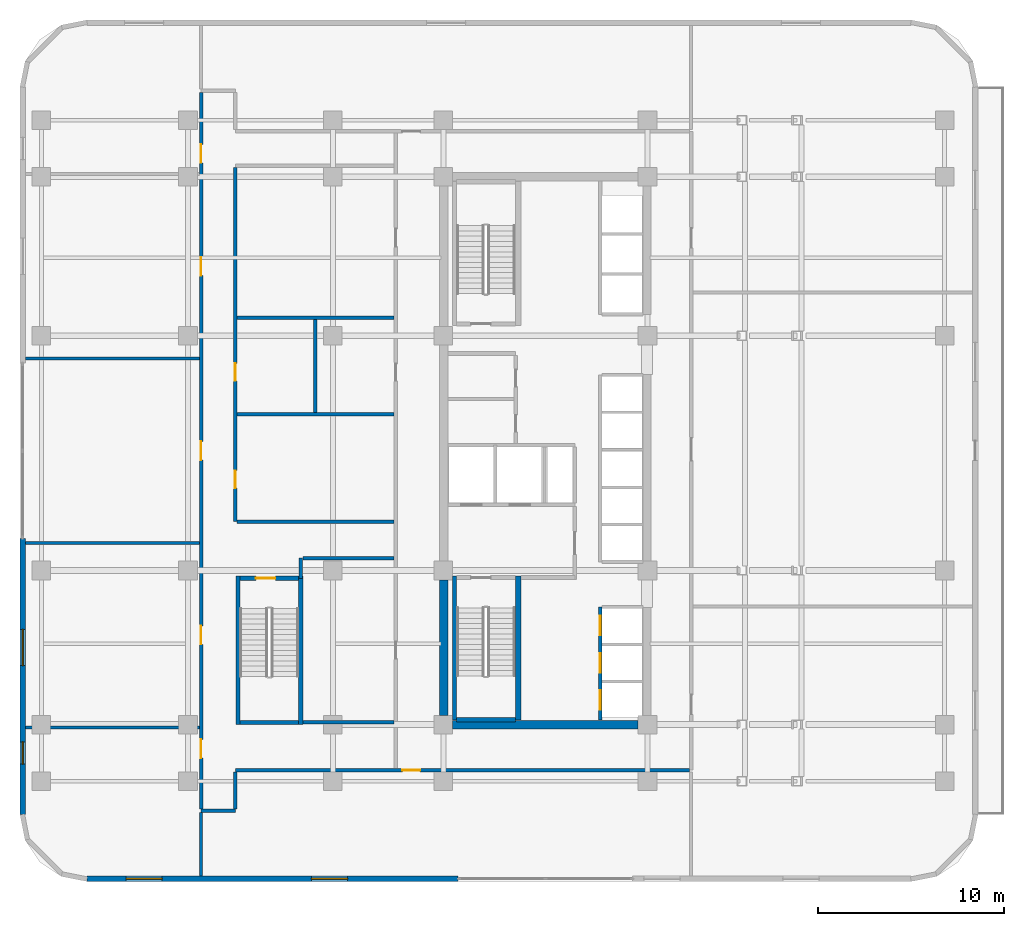
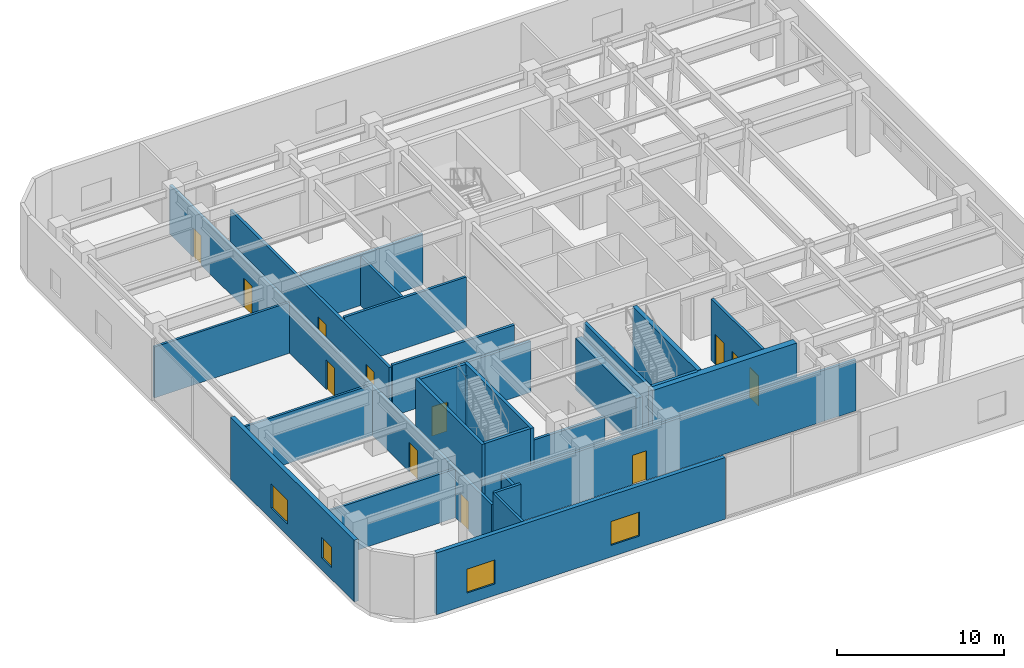
# One storey, part 6 of 12: 28 walls, 12 doors, 4 windows, 16 openings.
"""IFC4 building model written with IfcOpenShell, lengths in metres."""

from ifc_helpers import new_model, si_unit, direction, frame, frame_2d, origin, place, context, subcontext, project, spatial, rectangle, extrude, material, layer, layer_set, type_object, element, fill, save


model = new_model("IFC4")

# Units and contexts
model_context = context("Model", 3, precision=1e-05, world=origin(), true_north=direction((0.0, 1.0)))
body_context = subcontext(model_context, "Body", "Model", "MODEL_VIEW")
ifc_project = project(units=[si_unit("LENGTHUNIT", "METRE"), si_unit("AREAUNIT", "SQUARE_METRE"), si_unit("VOLUMEUNIT", "CUBIC_METRE"), si_unit("PLANEANGLEUNIT", "RADIAN"), si_unit("MASSUNIT", "GRAM", prefix="KILO")], contexts=[model_context])

# Site, building, storey
site_placement = place(None, origin())
site = spatial("IfcSite", under=ifc_project, at=site_placement, CompositionType="ELEMENT")
building_placement = place(site_placement, origin())
building = spatial("IfcBuilding", under=site, at=building_placement, Name="Ochreholt Gables", CompositionType="ELEMENT")
storey_placement = place(building_placement, frame((0.0, 0.0, 9.60009765625)))
storey = spatial("IfcBuildingStorey", under=building, at=storey_placement, Name="L02", CompositionType="ELEMENT", Elevation=9.60009765625)

# Walls
ifc_material_1 = material(Name="Concrete 60 MPa", Category="concrete")
ifc_layer_1 = layer(ifc_material_1, 0.449951171875, Name="Concrete 60 MPa")
ifc_layer_set_1 = layer_set([ifc_layer_1], Name="Concrete 60 MPa")
wall_type_1 = type_object("IfcWallType", Name="WALL-CSW-450", PredefinedType="SHEAR", material=ifc_layer_set_1)
wall_1_placement = place(storey_placement, frame((24.22509765625, 9.75, 0.0), z_axis=(0.0, 0.0, 1.0), x_axis=(0.0, 1.0, 0.0)))
element("IfcWall", 1, at=wall_1_placement, inside=storey, type_object=wall_type_1, Name="L02 Core West Shear Wall WS", PredefinedType="SHEAR", context=body_context, shape_type="SweptSolid", body=[
    extrude(rectangle(XDim=7.300048828125, YDim=0.449951171875, at=frame_2d((3.64990234375, 0.0))), origin(), (0.0, 0.0, 1.0), 3.75),
])
wall_2_placement = place(storey_placement, frame((24.699951171875, 9.25, 0.0), z_axis=(0.0, 0.0, 1.0), x_axis=(1.0, 0.0, 0.0)))
element("IfcWall", 2, at=wall_2_placement, inside=storey, type_object=wall_type_1, Name="L02 Core South Shear Wall", PredefinedType="SHEAR", context=body_context, shape_type="SweptSolid", body=[
    extrude(rectangle(XDim=10.0, YDim=0.449951171875, at=frame_2d((5.0, 0.0))), origin(), (0.0, 0.0, 1.0), 4.52001953125),
])

# Wall, openings, windows
ifc_material_2 = material(Name="Precast concrete 40 MPa", Category="concrete")
ifc_layer_2 = layer(ifc_material_2, 0.2900390625, Name="Precast concrete 40 MPa")
ifc_layer_set_2 = layer_set([ifc_layer_2], Name="Precast concrete 40 MPa")
wall_type_2 = type_object("IfcWallType", Name="WALL-EXT-290", PredefinedType="SOLIDWALL", material=ifc_layer_set_2)
wall_3_placement = place(storey_placement, frame((5.02001953125, 0.945068359375, 0.0), z_axis=(0.0, 0.0, 1.0), x_axis=(1.0, 0.0, 0.0)))
wall_3 = element("IfcWall", 3, at=wall_3_placement, inside=storey, type_object=wall_type_2, Name="L02 South Facade Wall 1", PredefinedType="SOLIDWALL", context=body_context, shape_type="SweptSolid", body=[
    extrude(rectangle(XDim=19.97998046875, YDim=0.2900390625, at=frame_2d((9.989990234375, 0.0))), origin(), (0.0, 0.0, 1.0), 4.52001953125),
])
opening_1_placement = place(wall_3_placement, frame((2.090087890625, 0.0, 0.85009765625)))
opening_1 = element("IfcOpeningElement", 4, at=opening_1_placement, cuts=wall_3, Name="Opening WN-9", PredefinedType="OPENING", context=body_context, shape_type="SweptSolid", body=[
    extrude(rectangle(XDim=1.949951171875, YDim=1.75, at=frame_2d((0.97509765625, 0.875))), frame((0.0, 0.155029296875, 0.0), z_axis=(0.0, -1.0, 0.0), x_axis=(1.0, 0.0, 0.0)), (0.0, 0.0, 1.0), 0.31005859375),
])
opening_2_placement = place(wall_3_placement, frame((12.080078125, 0.0, 0.85009765625)))
opening_2 = element("IfcOpeningElement", 5, at=opening_2_placement, cuts=wall_3, Name="Opening WN-9", PredefinedType="OPENING", context=body_context, shape_type="SweptSolid", body=[
    extrude(rectangle(XDim=1.949951171875, YDim=1.75, at=frame_2d((0.97509765625, 0.875))), frame((0.0, 0.155029296875, 0.0), z_axis=(0.0, -1.0, 0.0), x_axis=(1.0, 0.0, 0.0)), (0.0, 0.0, 1.0), 0.31005859375),
])
ifc_material_3 = material(Name="Triple-Glazed Thermally Broken Aluminium Window", Category="aluminium")
window_type_1 = type_object("IfcWindowType", Name="WIN-CLN-1950", PartitioningType="SINGLE_PANEL", PredefinedType="WINDOW", material=ifc_material_3)
window_1_placement = place(opening_1_placement, origin())
window_1 = element("IfcWindow", 6, at=window_1_placement, inside=storey, type_object=window_type_1, Name="L02 Window W-EXT-S1-L02-1", OverallHeight=1.75, OverallWidth=1.949951171875, PartitioningType="SINGLE_PANEL", PredefinedType="WINDOW", context=body_context, shape_type="SweptSolid", body=[
    extrude(rectangle(XDim=1.949951171875, YDim=1.75, at=frame_2d((0.97509765625, 0.875))), frame((0.0, 0.030029296875, 0.0), z_axis=(0.0, -1.0, 0.0), x_axis=(1.0, 0.0, 0.0)), (0.0, 0.0, 1.0), 0.06005859375),
])
fill(opening_1, window_1)
window_2_placement = place(opening_2_placement, origin())
window_2 = element("IfcWindow", 7, at=window_2_placement, inside=storey, type_object=window_type_1, Name="L02 Window W-EXT-S1-L02-2", OverallHeight=1.75, OverallWidth=1.949951171875, PartitioningType="SINGLE_PANEL", PredefinedType="WINDOW", context=body_context, shape_type="SweptSolid", body=[
    extrude(rectangle(XDim=1.949951171875, YDim=1.75, at=frame_2d((0.97509765625, 0.875))), frame((0.0, 0.030029296875, 0.0), z_axis=(0.0, -1.0, 0.0), x_axis=(1.0, 0.0, 0.0)), (0.0, 0.0, 1.0), 0.06005859375),
])
fill(opening_2, window_2)

wall_4_placement = place(storey_placement, frame((1.544921875, 19.283203125, 0.0), z_axis=(0.0, 0.0, 1.0), x_axis=(0.0, -1.0, 0.0)))
wall_4 = element("IfcWall", 8, at=wall_4_placement, inside=storey, type_object=wall_type_2, Name="L02 West Facade Wall 2", PredefinedType="SOLIDWALL", context=body_context, shape_type="SweptSolid", body=[
    extrude(rectangle(XDim=14.86328125, YDim=0.2900390625, at=frame_2d((7.431640625, 0.0))), origin(), (0.0, 0.0, 1.0), 4.52001953125),
])
opening_3_placement = place(wall_4_placement, frame((10.958251953125, 0.0, 0.85009765625)))
opening_3 = element("IfcOpeningElement", 9, at=opening_3_placement, cuts=wall_4, Name="Opening WN-3", PredefinedType="OPENING", context=body_context, shape_type="SweptSolid", body=[
    extrude(rectangle(XDim=1.199951171875, YDim=1.5, at=frame_2d((0.60009765625, 0.75))), frame((0.0, 0.155029296875, 0.0), z_axis=(0.0, -1.0, 0.0), x_axis=(1.0, 0.0, 0.0)), (0.0, 0.0, 1.0), 0.31005859375),
])
opening_4_placement = place(wall_4_placement, frame((4.908203125, 0.0, 0.85009765625)))
opening_4 = element("IfcOpeningElement", 10, at=opening_4_placement, cuts=wall_4, Name="Opening WN-9", PredefinedType="OPENING", context=body_context, shape_type="SweptSolid", body=[
    extrude(rectangle(XDim=1.949951171875, YDim=1.75, at=frame_2d((0.97509765625, 0.875))), frame((0.0, 0.155029296875, 0.0), z_axis=(0.0, -1.0, 0.0), x_axis=(1.0, 0.0, 0.0)), (0.0, 0.0, 1.0), 0.31005859375),
])
window_3_placement = place(opening_4_placement, origin())
window_3 = element("IfcWindow", 11, at=window_3_placement, inside=storey, type_object=window_type_1, Name="L02 Window W-EXT-W2-L02-2", OverallHeight=1.75, OverallWidth=1.949951171875, PartitioningType="SINGLE_PANEL", PredefinedType="WINDOW", context=body_context, shape_type="SweptSolid", body=[
    extrude(rectangle(XDim=1.949951171875, YDim=1.75, at=frame_2d((0.97509765625, 0.875))), frame((0.0, 0.030029296875, 0.0), z_axis=(0.0, -1.0, 0.0), x_axis=(1.0, 0.0, 0.0)), (0.0, 0.0, 1.0), 0.06005859375),
])
fill(opening_4, window_3)
window_type_2 = type_object("IfcWindowType", Name="WIN-RES-1200", PartitioningType="SINGLE_PANEL", PredefinedType="WINDOW", material=ifc_material_3)
window_4_placement = place(opening_3_placement, origin())
window_4 = element("IfcWindow", 12, at=window_4_placement, inside=storey, type_object=window_type_2, Name="L02 Window W-EXT-W2-L02-1", OverallHeight=1.5, OverallWidth=1.199951171875, PartitioningType="SINGLE_PANEL", PredefinedType="WINDOW", context=body_context, shape_type="SweptSolid", body=[
    extrude(rectangle(XDim=1.199951171875, YDim=1.5, at=frame_2d((0.60009765625, 0.75))), frame((0.0, 0.030029296875, 0.0), z_axis=(0.0, -1.0, 0.0), x_axis=(1.0, 0.0, 0.0)), (0.0, 0.0, 1.0), 0.06005859375),
])
fill(opening_3, window_4)

# Wall, opening, door
ifc_material_4 = material(Name="Fire-Rated Gypsum Acoustic Partition", Category="gypsum")
ifc_layer_3 = layer(ifc_material_4, 0.18994140625, Name="Fire-Rated Gypsum Acoustic Partition")
ifc_layer_set_3 = layer_set([ifc_layer_3], Name="Fire-Rated Gypsum Acoustic Partition")
wall_type_3 = type_object("IfcWallType", Name="WALL-INT-CR190", PredefinedType="STANDARD", material=ifc_layer_set_3)
wall_5_placement = place(storey_placement, frame((13.0, 6.800048828125, 0.0), z_axis=(0.0, 0.0, 1.0), x_axis=(1.0, 0.0, 0.0)))
wall_5 = element("IfcWall", 13, at=wall_5_placement, inside=storey, type_object=wall_type_3, Name="L02 Interior Wall WI-CLCS-L02", PredefinedType="STANDARD", context=body_context, shape_type="SweptSolid", body=[
    extrude(rectangle(XDim=24.455078125, YDim=0.18994140625, at=frame_2d((12.2275390625, 0.0))), origin(), (0.0, 0.0, 1.0), 3.73193359375),
])
opening_5_placement = place(wall_5_placement, frame((9.0, 0.0, 0.0)))
opening_5 = element("IfcOpeningElement", 14, at=opening_5_placement, cuts=wall_5, Name="Opening D-GN1", PredefinedType="OPENING", context=body_context, shape_type="SweptSolid", body=[
    extrude(rectangle(XDim=0.949951171875, YDim=2.14990234375, at=frame_2d((0.47509765625, 1.074951171875))), frame((0.0, 0.10498046875, 0.0), z_axis=(0.0, -1.0, 0.0), x_axis=(1.0, 0.0, 0.0)), (0.0, 0.0, 1.0), 0.2099609375),
])
ifc_material_5 = material(Name="Engineered Oak Timber", Category="wood")
door_type_1 = type_object("IfcDoorType", Name="DR-INT-GEN950", OperationType="NOTDEFINED", PredefinedType="DOOR", material=ifc_material_5)
door_1_placement = place(opening_5_placement, origin())
door_1 = element("IfcDoor", 15, at=door_1_placement, inside=storey, type_object=door_type_1, Name="L02 Door D-CLCS-L02", OperationType="SINGLE_SWING_LEFT", OverallHeight=2.14990234375, OverallWidth=0.949951171875, PredefinedType="DOOR", context=body_context, shape_type="SweptSolid", body=[
    extrude(rectangle(XDim=0.949951171875, YDim=2.14990234375, at=frame_2d((0.47509765625, 1.074951171875))), frame((0.0, 0.02490234375, 0.0), z_axis=(0.0, -1.0, 0.0), x_axis=(1.0, 0.0, 0.0)), (0.0, 0.0, 1.0), 0.050048828125),
])
fill(opening_5, door_1)

# Walls
wall_6_placement = place(storey_placement, frame((11.14990234375, 4.60009765625, 0.0), z_axis=(0.0, 0.0, 1.0), x_axis=(1.0, 0.0, 0.0)))
element("IfcWall", 16, at=wall_6_placement, inside=storey, type_object=wall_type_3, Name="L02 Interior Wall WI-CLCS0-L02", PredefinedType="STANDARD", context=body_context, shape_type="SweptSolid", body=[
    extrude(rectangle(XDim=1.85009765625, YDim=0.18994140625, at=frame_2d((0.925048828125, 0.0))), origin(), (0.0, 0.0, 1.0), 4.52001953125),
])
wall_7_placement = place(storey_placement, frame((13.0, 4.695068359375, 0.0), z_axis=(0.0, 0.0, 1.0), x_axis=(0.0, 1.0, 0.0)))
element("IfcWall", 17, at=wall_7_placement, inside=storey, type_object=wall_type_3, Name="L02 Interior Wall WI-CLCS1-L02", PredefinedType="STANDARD", context=body_context, shape_type="SweptSolid", body=[
    extrude(rectangle(XDim=2.010009765625, YDim=0.18994140625, at=frame_2d((1.0048828125, 0.0))), origin(), (0.0, 0.0, 1.0), 3.968994140625),
])
wall_8_placement = place(storey_placement, frame((16.6298828125, 9.3701171875, 0.0), z_axis=(0.0, 0.0, 1.0), x_axis=(1.0, 0.0, 0.0)))
element("IfcWall", 18, at=wall_8_placement, inside=storey, type_object=wall_type_3, Name="L02 Interior Wall WI-CLCS2-L02", PredefinedType="STANDARD", context=body_context, shape_type="SweptSolid", body=[
    extrude(rectangle(XDim=4.925048828125, YDim=0.18994140625, at=frame_2d((2.46240234375, 0.0))), origin(), (0.0, 0.0, 1.0), 3.574951171875),
])

# Wall, openings, doors
wall_9_placement = place(storey_placement, frame((11.14990234375, 4.695068359375, 0.0), z_axis=(0.0, 0.0, 1.0), x_axis=(0.0, 1.0, 0.0)))
wall_9 = element("IfcWall", 19, at=wall_9_placement, inside=storey, type_object=wall_type_3, Name="L02 Interior Wall WI-CLCWW-L02", PredefinedType="STANDARD", context=body_context, shape_type="SweptSolid", body=[
    extrude(rectangle(XDim=38.60986328125, YDim=0.18994140625, at=frame_2d((19.304931640625, 0.0))), origin(), (0.0, 0.0, 1.0), 3.574951171875),
])
opening_6_placement = place(wall_9_placement, frame((2.7548828125, 0.0, 0.0)))
opening_6 = element("IfcOpeningElement", 20, at=opening_6_placement, cuts=wall_9, Name="Opening D-CL3", PredefinedType="OPENING", context=body_context, shape_type="SweptSolid", body=[
    extrude(rectangle(XDim=1.0, YDim=2.14990234375, at=frame_2d((0.5, 1.074951171875))), frame((0.0, 0.10498046875, 0.0), z_axis=(0.0, -1.0, 0.0), x_axis=(1.0, 0.0, 0.0)), (0.0, 0.0, 1.0), 0.2099609375),
])
opening_7_placement = place(wall_9_placement, frame((8.87158203125, 0.0, 0.0)))
opening_7 = element("IfcOpeningElement", 21, at=opening_7_placement, cuts=wall_9, Name="Opening D-CL3", PredefinedType="OPENING", context=body_context, shape_type="SweptSolid", body=[
    extrude(rectangle(XDim=1.0, YDim=2.14990234375, at=frame_2d((0.5, 1.074951171875))), frame((0.0, 0.10498046875, 0.0), z_axis=(0.0, -1.0, 0.0), x_axis=(1.0, 0.0, 0.0)), (0.0, 0.0, 1.0), 0.2099609375),
])
opening_8_placement = place(wall_9_placement, frame((18.804931640625, 0.0, 0.0)))
opening_8 = element("IfcOpeningElement", 22, at=opening_8_placement, cuts=wall_9, Name="Opening D-CL3", PredefinedType="OPENING", context=body_context, shape_type="SweptSolid", body=[
    extrude(rectangle(XDim=1.0, YDim=2.14990234375, at=frame_2d((0.5, 1.074951171875))), frame((0.0, 0.10498046875, 0.0), z_axis=(0.0, -1.0, 0.0), x_axis=(1.0, 0.0, 0.0)), (0.0, 0.0, 1.0), 0.2099609375),
])
opening_9_placement = place(wall_9_placement, frame((28.73828125, 0.0, 0.0)))
opening_9 = element("IfcOpeningElement", 23, at=opening_9_placement, cuts=wall_9, Name="Opening D-CL3", PredefinedType="OPENING", context=body_context, shape_type="SweptSolid", body=[
    extrude(rectangle(XDim=1.0, YDim=2.14990234375, at=frame_2d((0.5, 1.074951171875))), frame((0.0, 0.10498046875, 0.0), z_axis=(0.0, -1.0, 0.0), x_axis=(1.0, 0.0, 0.0)), (0.0, 0.0, 1.0), 0.2099609375),
])
opening_10_placement = place(wall_9_placement, frame((34.804931640625, 0.0, 0.0)))
opening_10 = element("IfcOpeningElement", 24, at=opening_10_placement, cuts=wall_9, Name="Opening D-CL3", PredefinedType="OPENING", context=body_context, shape_type="SweptSolid", body=[
    extrude(rectangle(XDim=1.0, YDim=2.14990234375, at=frame_2d((0.5, 1.074951171875))), frame((0.0, 0.10498046875, 0.0), z_axis=(0.0, -1.0, 0.0), x_axis=(1.0, 0.0, 0.0)), (0.0, 0.0, 1.0), 0.2099609375),
])
door_type_2 = type_object("IfcDoorType", Name="DR-INT-CLN1000", OperationType="NOTDEFINED", PredefinedType="DOOR", material=ifc_material_5)
door_2_placement = place(opening_6_placement, origin())
door_2 = element("IfcDoor", 25, at=door_2_placement, inside=storey, type_object=door_type_2, Name="L02 Door D-CLW1-L02", OperationType="SINGLE_SWING_LEFT", OverallHeight=2.14990234375, OverallWidth=1.0, PredefinedType="DOOR", context=body_context, shape_type="SweptSolid", body=[
    extrude(rectangle(XDim=1.0, YDim=2.14990234375, at=frame_2d((0.5, 1.074951171875))), frame((0.0, 0.02490234375, 0.0), z_axis=(0.0, -1.0, 0.0), x_axis=(1.0, 0.0, 0.0)), (0.0, 0.0, 1.0), 0.050048828125),
])
fill(opening_6, door_2)
door_3_placement = place(opening_7_placement, origin())
door_3 = element("IfcDoor", 26, at=door_3_placement, inside=storey, type_object=door_type_2, Name="L02 Door D-CLW2-L02", OperationType="SINGLE_SWING_RIGHT", OverallHeight=2.14990234375, OverallWidth=1.0, PredefinedType="DOOR", context=body_context, shape_type="SweptSolid", body=[
    extrude(rectangle(XDim=1.0, YDim=2.14990234375, at=frame_2d((0.5, 1.074951171875))), frame((0.0, 0.02490234375, 0.0), z_axis=(0.0, -1.0, 0.0), x_axis=(1.0, 0.0, 0.0)), (0.0, 0.0, 1.0), 0.050048828125),
])
fill(opening_7, door_3)
door_4_placement = place(opening_8_placement, origin())
door_4 = element("IfcDoor", 27, at=door_4_placement, inside=storey, type_object=door_type_2, Name="L02 Door D-CLW3-L02", OperationType="SINGLE_SWING_LEFT", OverallHeight=2.14990234375, OverallWidth=1.0, PredefinedType="DOOR", context=body_context, shape_type="SweptSolid", body=[
    extrude(rectangle(XDim=1.0, YDim=2.14990234375, at=frame_2d((0.5, 1.074951171875))), frame((0.0, 0.02490234375, 0.0), z_axis=(0.0, -1.0, 0.0), x_axis=(1.0, 0.0, 0.0)), (0.0, 0.0, 1.0), 0.050048828125),
])
fill(opening_8, door_4)
door_5_placement = place(opening_9_placement, origin())
door_5 = element("IfcDoor", 28, at=door_5_placement, inside=storey, type_object=door_type_2, Name="L02 Door D-CLW4-L02", OperationType="SINGLE_SWING_RIGHT", OverallHeight=2.14990234375, OverallWidth=1.0, PredefinedType="DOOR", context=body_context, shape_type="SweptSolid", body=[
    extrude(rectangle(XDim=1.0, YDim=2.14990234375, at=frame_2d((0.5, 1.074951171875))), frame((0.0, 0.02490234375, 0.0), z_axis=(0.0, -1.0, 0.0), x_axis=(1.0, 0.0, 0.0)), (0.0, 0.0, 1.0), 0.050048828125),
])
fill(opening_9, door_5)
door_6_placement = place(opening_10_placement, origin())
door_6 = element("IfcDoor", 29, at=door_6_placement, inside=storey, type_object=door_type_2, Name="L02 Door D-CLW5-L02", OperationType="SINGLE_SWING_LEFT", OverallHeight=2.14990234375, OverallWidth=1.0, PredefinedType="DOOR", context=body_context, shape_type="SweptSolid", body=[
    extrude(rectangle(XDim=1.0, YDim=2.14990234375, at=frame_2d((0.5, 1.074951171875))), frame((0.0, 0.02490234375, 0.0), z_axis=(0.0, -1.0, 0.0), x_axis=(1.0, 0.0, 0.0)), (0.0, 0.0, 1.0), 0.050048828125),
])
fill(opening_10, door_6)

wall_10_placement = place(storey_placement, frame((13.0, 20.179931640625, 0.0), z_axis=(0.0, 0.0, 1.0), x_axis=(0.0, 1.0, 0.0)))
wall_10 = element("IfcWall", 30, at=wall_10_placement, inside=storey, type_object=wall_type_3, Name="L02 Interior Wall WI-CLCWE-L02", PredefinedType="STANDARD", context=body_context, shape_type="SweptSolid", body=[
    extrude(rectangle(XDim=19.074951171875, YDim=0.18994140625, at=frame_2d((9.53759765625, 0.0))), origin(), (0.0, 0.0, 1.0), 3.574951171875),
])
opening_11_placement = place(wall_10_placement, frame((1.800048828125, 0.0, 0.0)))
opening_11 = element("IfcOpeningElement", 31, at=opening_11_placement, cuts=wall_10, Name="Opening D-GN1", PredefinedType="OPENING", context=body_context, shape_type="SweptSolid", body=[
    extrude(rectangle(XDim=0.949951171875, YDim=2.14990234375, at=frame_2d((0.47509765625, 1.074951171875))), frame((0.0, 0.10498046875, 0.0), z_axis=(0.0, -1.0, 0.0), x_axis=(1.0, 0.0, 0.0)), (0.0, 0.0, 1.0), 0.2099609375),
])
opening_12_placement = place(wall_10_placement, frame((7.580078125, 0.0, 0.0)))
opening_12 = element("IfcOpeningElement", 32, at=opening_12_placement, cuts=wall_10, Name="Opening D-WC2", PredefinedType="OPENING", context=body_context, shape_type="SweptSolid", body=[
    extrude(rectangle(XDim=0.949951171875, YDim=2.139892578125, at=frame_2d((0.47509765625, 1.06982421875))), frame((0.0, 0.10498046875, 0.0), z_axis=(0.0, -1.0, 0.0), x_axis=(1.0, 0.0, 0.0)), (0.0, 0.0, 1.0), 0.2099609375),
])
door_7_placement = place(opening_11_placement, origin())
door_7 = element("IfcDoor", 33, at=door_7_placement, inside=storey, type_object=door_type_1, Name="L02 Door D-CLMN1-L02", OperationType="SINGLE_SWING_LEFT", OverallHeight=2.14990234375, OverallWidth=0.949951171875, PredefinedType="DOOR", context=body_context, shape_type="SweptSolid", body=[
    extrude(rectangle(XDim=0.949951171875, YDim=2.14990234375, at=frame_2d((0.47509765625, 1.074951171875))), frame((0.0, 0.02490234375, 0.0), z_axis=(0.0, -1.0, 0.0), x_axis=(1.0, 0.0, 0.0)), (0.0, 0.0, 1.0), 0.050048828125),
])
fill(opening_11, door_7)
door_type_3 = type_object("IfcDoorType", Name="DR-INT-WC950", OperationType="NOTDEFINED", PredefinedType="DOOR", material=ifc_material_5)
door_8_placement = place(opening_12_placement, origin())
door_8 = element("IfcDoor", 34, at=door_8_placement, inside=storey, type_object=door_type_3, Name="L02 Door D-CLMWC1-L02", OperationType="SINGLE_SWING_RIGHT", OverallHeight=2.139892578125, OverallWidth=0.949951171875, PredefinedType="DOOR", context=body_context, shape_type="SweptSolid", body=[
    extrude(rectangle(XDim=0.949951171875, YDim=2.139892578125, at=frame_2d((0.47509765625, 1.06982421875))), frame((0.0, 0.02490234375, 0.0), z_axis=(0.0, -1.0, 0.0), x_axis=(1.0, 0.0, 0.0)), (0.0, 0.0, 1.0), 0.050048828125),
])
fill(opening_12, door_8)

# Walls
wall_11_placement = place(storey_placement, frame((16.6298828125, 18.219970703125, 0.0), z_axis=(0.0, 0.0, 1.0), x_axis=(1.0, 0.0, 0.0)))
element("IfcWall", 35, at=wall_11_placement, inside=storey, type_object=wall_type_3, Name="L02 Interior Wall WI-CLSTP-L02", PredefinedType="STANDARD", context=body_context, shape_type="SweptSolid", body=[
    extrude(rectangle(XDim=4.925048828125, YDim=0.18994140625, at=frame_2d((2.46240234375, 0.0))), origin(), (0.0, 0.0, 1.0), 3.73193359375),
])
wall_12_placement = place(storey_placement, frame((16.52001953125, 17.1298828125, 0.0), z_axis=(0.0, 0.0, 1.0), x_axis=(0.0, 1.0, 0.0)))
element("IfcWall", 36, at=wall_12_placement, inside=storey, type_object=wall_type_3, Name="L02 Interior Wall WI-CLSTPE-L02", PredefinedType="STANDARD", context=body_context, shape_type="SweptSolid", body=[
    extrude(rectangle(XDim=1.090087890625, YDim=0.18994140625, at=frame_2d((0.544921875, 0.0))), origin(), (0.0, 0.0, 1.0), 3.574951171875),
])
wall_13_placement = place(storey_placement, frame((13.094970703125, 20.179931640625, 0.0), z_axis=(0.0, 0.0, 1.0), x_axis=(1.0, 0.0, 0.0)))
element("IfcWall", 37, at=wall_13_placement, inside=storey, type_object=wall_type_3, Name="L02 Interior Wall WI-CLSTP2-L02", PredefinedType="STANDARD", context=body_context, shape_type="SweptSolid", body=[
    extrude(rectangle(XDim=8.4599609375, YDim=0.18994140625, at=frame_2d((4.22998046875, 0.0))), origin(), (0.0, 0.0, 1.0), 3.73193359375),
])
ifc_material_6 = material(Name="Moisture-Resistant Plumbing Chase Wall", Category="gypsum")
ifc_layer_4 = layer(ifc_material_6, 0.175048828125, Name="Moisture-Resistant Plumbing Chase Wall")
ifc_layer_set_4 = layer_set([ifc_layer_4], Name="Moisture-Resistant Plumbing Chase Wall")
wall_type_4 = type_object("IfcWallType", Name="WALL-INT-PL175", PredefinedType="PLUMBINGWALL", material=ifc_layer_set_4)
for number, where, z_axis, x_axis, name in (
    (38, (13.094970703125, 25.9599609375, 0.0), (0.0, 0.0, 1.0), (1.0, 0.0, 0.0), "L02 Interior Wall WI-CLMW1-L02"),
    (39, (13.094970703125, 31.159912109375, 0.0), (0.0, 0.0, 1.0), (1.0, 0.0, 0.0), "L02 Interior Wall WI-CLMW2-L02"),
):
    element("IfcWall", number, at=place(storey_placement, frame(where, z_axis=z_axis, x_axis=x_axis)), inside=storey, type_object=wall_type_4, Name=name, PredefinedType="PLUMBINGWALL", context=body_context, shape_type="SweptSolid", body=[
        extrude(rectangle(XDim=8.4599609375, YDim=0.175048828125, at=frame_2d((4.22998046875, 0.0))), origin(), (0.0, 0.0, 1.0), 3.73193359375),
    ])
wall_14_placement = place(storey_placement, frame((17.300048828125, 26.047607421875, 0.0), z_axis=(0.0, 0.0, 1.0), x_axis=(0.0, 1.0, 0.0)))
element("IfcWall", 40, at=wall_14_placement, inside=storey, type_object=wall_type_4, Name="L02 Interior Wall WI-CLMW3-L02", PredefinedType="PLUMBINGWALL", context=body_context, shape_type="SweptSolid", body=[
    extrude(rectangle(XDim=5.02490234375, YDim=0.175048828125, at=frame_2d((2.512451171875, 0.0))), origin(), (0.0, 0.0, 1.0), 3.574951171875),
])
ifc_material_7 = material(Name="Gypsum Acoustic Stud Partition", Category="gypsum")
ifc_layer_5 = layer(ifc_material_7, 0.159912109375, Name="Gypsum Acoustic Stud Partition")
ifc_layer_set_5 = layer_set([ifc_layer_5], Name="Gypsum Acoustic Stud Partition")
wall_type_5 = type_object("IfcWallType", Name="WALL-INT-PT160", PredefinedType="PARTITIONING", material=ifc_layer_set_5)
wall_15_placement = place(storey_placement, frame((11.14990234375, 1.090087890625, 0.0), z_axis=(0.0, 0.0, 1.0), x_axis=(0.0, 1.0, 0.0)))
element("IfcWall", 41, at=wall_15_placement, inside=storey, type_object=wall_type_5, Name="L02 Interior Wall WI-CLWWS-L02", PredefinedType="PARTITIONING", context=body_context, shape_type="SweptSolid", body=[
    extrude(rectangle(XDim=3.414794921875, YDim=0.159912109375, at=frame_2d((1.70751953125, 0.0))), origin(), (0.0, 0.0, 1.0), 4.52001953125),
])
wall_16_placement = place(storey_placement, frame((1.68994140625, 9.10009765625, 0.0), z_axis=(0.0, 0.0, 1.0), x_axis=(1.0, 0.0, 0.0)))
element("IfcWall", 42, at=wall_16_placement, inside=storey, type_object=wall_type_5, Name="L02 Interior Wall WI-CLW1-L02", PredefinedType="PARTITIONING", context=body_context, shape_type="SweptSolid", body=[
    extrude(rectangle(XDim=9.364990234375, YDim=0.159912109375, at=frame_2d((4.6826171875, 0.0))), origin(), (0.0, 0.0, 1.0), 3.574951171875),
])
for number, where, z_axis, x_axis, name in (
    (43, (1.68994140625, 19.033203125, 0.0), (0.0, 0.0, 1.0), (1.0, 0.0, 0.0), "L02 Interior Wall WI-CLW2-L02"),
    (44, (1.68994140625, 28.966796875, 0.0), (0.0, 0.0, 1.0), (1.0, 0.0, 0.0), "L02 Interior Wall WI-CLW3-L02"),
):
    element("IfcWall", number, at=place(storey_placement, frame(where, z_axis=z_axis, x_axis=x_axis)), inside=storey, type_object=wall_type_5, Name=name, PredefinedType="PARTITIONING", context=body_context, shape_type="SweptSolid", body=[
        extrude(rectangle(XDim=9.364990234375, YDim=0.159912109375, at=frame_2d((4.6826171875, 0.0))), origin(), (0.0, 0.0, 1.0), 3.73193359375),
    ])

# Wall, openings, doors
ifc_material_8 = material(Name="Gypsum Shaftliner and Steel Stud", Category="steel")
ifc_layer_6 = layer(ifc_material_8, 0.179931640625, Name="Gypsum Shaftliner and Steel Stud")
ifc_layer_set_6 = layer_set([ifc_layer_6], Name="Gypsum Shaftliner and Steel Stud")
wall_type_6 = type_object("IfcWallType", Name="WALL-INT-SH180", PredefinedType="STANDARD", material=ifc_layer_set_6)
wall_17_placement = place(storey_placement, frame((32.64990234375, 9.5, 0.0), z_axis=(0.0, 0.0, 1.0), x_axis=(0.0, 1.0, 0.0)))
wall_17 = element("IfcWall", 45, at=wall_17_placement, inside=storey, type_object=wall_type_6, Name="L02 Interior Wall WI-LFL-FR-L02", PredefinedType="STANDARD", context=body_context, shape_type="SweptSolid", body=[
    extrude(rectangle(XDim=6.080078125, YDim=0.179931640625, at=frame_2d((3.0400390625, 0.0))), origin(), (0.0, 0.0, 1.0), 4.52001953125),
])
opening_13_placement = place(wall_17_placement, frame((0.550048828125, 0.0, 0.0)))
opening_13 = element("IfcOpeningElement", 46, at=opening_13_placement, cuts=wall_17, Name="Opening LD-PX", PredefinedType="OPENING", context=body_context, shape_type="SweptSolid", body=[
    extrude(rectangle(XDim=1.050048828125, YDim=2.199951171875, at=frame_2d((0.52490234375, 1.10009765625))), frame((0.0, 0.099853515625, 0.0), z_axis=(0.0, -1.0, 0.0), x_axis=(1.0, 0.0, 0.0)), (0.0, 0.0, 1.0), 0.199951171875),
])
opening_14_placement = place(wall_17_placement, frame((2.550048828125, 0.0, 0.0)))
opening_14 = element("IfcOpeningElement", 47, at=opening_14_placement, cuts=wall_17, Name="Opening LD-PX", PredefinedType="OPENING", context=body_context, shape_type="SweptSolid", body=[
    extrude(rectangle(XDim=1.050048828125, YDim=2.199951171875, at=frame_2d((0.52490234375, 1.10009765625))), frame((0.0, 0.099853515625, 0.0), z_axis=(0.0, -1.0, 0.0), x_axis=(1.0, 0.0, 0.0)), (0.0, 0.0, 1.0), 0.199951171875),
])
opening_15_placement = place(wall_17_placement, frame((4.550048828125, 0.0, 0.0)))
opening_15 = element("IfcOpeningElement", 48, at=opening_15_placement, cuts=wall_17, Name="Opening LD-PX", PredefinedType="OPENING", context=body_context, shape_type="SweptSolid", body=[
    extrude(rectangle(XDim=1.050048828125, YDim=2.199951171875, at=frame_2d((0.52490234375, 1.10009765625))), frame((0.0, 0.099853515625, 0.0), z_axis=(0.0, -1.0, 0.0), x_axis=(1.0, 0.0, 0.0)), (0.0, 0.0, 1.0), 0.199951171875),
])
ifc_material_9 = material(Name="Stainless Steel", Category="steel")
door_type_4 = type_object("IfcDoorType", Name="DR-LFT-PX1050", OperationType="NOTDEFINED", PredefinedType="DOOR", material=ifc_material_9)
door_9_placement = place(opening_13_placement, origin())
door_9 = element("IfcDoor", 49, at=door_9_placement, inside=storey, type_object=door_type_4, Name="L02 Door LD-L1-L02", OperationType="SLIDING_TO_LEFT", OverallHeight=2.199951171875, OverallWidth=1.050048828125, PredefinedType="DOOR", context=body_context, shape_type="SweptSolid", body=[
    extrude(rectangle(XDim=1.050048828125, YDim=2.199951171875, at=frame_2d((0.52490234375, 1.10009765625))), frame((0.0, 0.02490234375, 0.0), z_axis=(0.0, -1.0, 0.0), x_axis=(1.0, 0.0, 0.0)), (0.0, 0.0, 1.0), 0.050048828125),
])
fill(opening_13, door_9)
door_10_placement = place(opening_14_placement, origin())
door_10 = element("IfcDoor", 50, at=door_10_placement, inside=storey, type_object=door_type_4, Name="L02 Door LD-L2-L02", OperationType="SLIDING_TO_LEFT", OverallHeight=2.199951171875, OverallWidth=1.050048828125, PredefinedType="DOOR", context=body_context, shape_type="SweptSolid", body=[
    extrude(rectangle(XDim=1.050048828125, YDim=2.199951171875, at=frame_2d((0.52490234375, 1.10009765625))), frame((0.0, 0.02490234375, 0.0), z_axis=(0.0, -1.0, 0.0), x_axis=(1.0, 0.0, 0.0)), (0.0, 0.0, 1.0), 0.050048828125),
])
fill(opening_14, door_10)
door_11_placement = place(opening_15_placement, origin())
door_11 = element("IfcDoor", 51, at=door_11_placement, inside=storey, type_object=door_type_4, Name="L02 Door LD-L3-L02", OperationType="SLIDING_TO_LEFT", OverallHeight=2.199951171875, OverallWidth=1.050048828125, PredefinedType="DOOR", context=body_context, shape_type="SweptSolid", body=[
    extrude(rectangle(XDim=1.050048828125, YDim=2.199951171875, at=frame_2d((0.52490234375, 1.10009765625))), frame((0.0, 0.02490234375, 0.0), z_axis=(0.0, -1.0, 0.0), x_axis=(1.0, 0.0, 0.0)), (0.0, 0.0, 1.0), 0.050048828125),
])
fill(opening_15, door_11)

# Walls
ifc_layer_7 = layer(ifc_material_1, 0.300048828125, Name="Concrete 60 MPa")
ifc_layer_set_7 = layer_set([ifc_layer_7], Name="Concrete 60 MPa")
wall_type_7 = type_object("IfcWallType", Name="WALL-SPN-300", PredefinedType="SHEAR", material=ifc_layer_set_7)
wall_18_placement = place(storey_placement, frame((28.22998046875, 9.5, 0.0), z_axis=(0.0, 0.0, 1.0), x_axis=(0.0, 1.0, 0.0)))
element("IfcWall", 52, at=wall_18_placement, inside=storey, type_object=wall_type_7, Name="L02 Core South Spine Shear Wall", PredefinedType="SHEAR", context=body_context, shape_type="SweptSolid", body=[
    extrude(rectangle(XDim=7.760009765625, YDim=0.300048828125, at=frame_2d((3.8798828125, 0.0))), origin(), (0.0, 0.0, 1.0), 4.52001953125),
])
ifc_material_10 = material(Name="Concrete 50 MPa", Category="concrete")
ifc_layer_8 = layer(ifc_material_10, 0.219970703125, Name="Concrete 50 MPa")
ifc_layer_set_8 = layer_set([ifc_layer_8], Name="Concrete 50 MPa")
wall_type_8 = type_object("IfcWallType", Name="WALL-STW-220", PredefinedType="SHEAR", material=ifc_layer_set_8)
wall_19_placement = place(storey_placement, frame((24.81005859375, 9.5, 0.0), z_axis=(0.0, 0.0, 1.0), x_axis=(0.0, 1.0, 0.0)))
element("IfcWall", 53, at=wall_19_placement, inside=storey, type_object=wall_type_8, Name="L02 Exit Stair 1 West Wall", PredefinedType="SHEAR", context=body_context, shape_type="SweptSolid", body=[
    extrude(rectangle(XDim=7.760009765625, YDim=0.219970703125, at=frame_2d((3.8798828125, 0.0))), origin(), (0.0, 0.0, 1.0), 4.52001953125),
])
wall_20_placement = place(storey_placement, frame((24.919921875, 9.510009765625, 0.0), z_axis=(0.0, 0.0, 1.0), x_axis=(1.0, 0.0, 0.0)))
element("IfcWall", 54, at=wall_20_placement, inside=storey, type_object=wall_type_8, Name="L02 Exit Stair 1 South Wall", PredefinedType="SHEAR", context=body_context, shape_type="SweptSolid", body=[
    extrude(rectangle(XDim=3.16015625, YDim=0.219970703125, at=frame_2d((1.580078125, 0.0))), origin(), (0.0, 0.0, 1.0), 4.52001953125),
])
for number, where, z_axis, x_axis, name in (
    (55, (13.139892578125, 9.260009765625, 0.0), (0.0, 0.0, 1.0), (0.0, 1.0, 0.0), "L02 Podium Stair West Wall"),
    (56, (16.52001953125, 9.260009765625, 0.0), (0.0, 0.0, 1.0), (0.0, 1.0, 0.0), "L02 Podium Stair East Wall"),
):
    element("IfcWall", number, at=place(storey_placement, frame(where, z_axis=z_axis, x_axis=x_axis)), inside=storey, type_object=wall_type_8, Name=name, PredefinedType="SHEAR", context=body_context, shape_type="SweptSolid", body=[
        extrude(rectangle(XDim=7.97998046875, YDim=0.219970703125, at=frame_2d((3.989990234375, 0.0))), origin(), (0.0, 0.0, 1.0), 4.52001953125),
    ])
wall_21_placement = place(storey_placement, frame((13.25, 9.3701171875, 0.0), z_axis=(0.0, 0.0, 1.0), x_axis=(1.0, 0.0, 0.0)))
element("IfcWall", 57, at=wall_21_placement, inside=storey, type_object=wall_type_8, Name="L02 Podium Stair South Wall", PredefinedType="SHEAR", context=body_context, shape_type="SweptSolid", body=[
    extrude(rectangle(XDim=3.159912109375, YDim=0.219970703125, at=frame_2d((1.580078125, 0.0))), origin(), (0.0, 0.0, 1.0), 4.52001953125),
])

# Wall, opening, door
wall_22_placement = place(storey_placement, frame((13.25, 17.1298828125, 0.0), z_axis=(0.0, 0.0, 1.0), x_axis=(1.0, 0.0, 0.0)))
wall_22 = element("IfcWall", 58, at=wall_22_placement, inside=storey, type_object=wall_type_8, Name="L02 Podium Stair North Wall", PredefinedType="SHEAR", context=body_context, shape_type="SweptSolid", body=[
    extrude(rectangle(XDim=3.159912109375, YDim=0.219970703125, at=frame_2d((1.580078125, 0.0))), origin(), (0.0, 0.0, 1.0), 4.52001953125),
])
opening_16_placement = place(wall_22_placement, frame((0.85009765625, 0.0, 0.0)))
opening_16 = element("IfcOpeningElement", 59, at=opening_16_placement, cuts=wall_22, Name="Opening D-STC", PredefinedType="OPENING", context=body_context, shape_type="SweptSolid", body=[
    extrude(rectangle(XDim=1.050048828125, YDim=2.14990234375, at=frame_2d((0.52490234375, 1.074951171875))), frame((0.0, 0.119873046875, 0.0), z_axis=(0.0, -1.0, 0.0), x_axis=(1.0, 0.0, 0.0)), (0.0, 0.0, 1.0), 0.239990234375),
])
ifc_material_11 = material(Name="Hollow Metal Steel", Category="steel")
door_type_5 = type_object("IfcDoorType", Name="DR-INT-ST1050", OperationType="NOTDEFINED", PredefinedType="DOOR", material=ifc_material_11)
door_12_placement = place(opening_16_placement, frame((1.050048828125, 0.0, 0.0), z_axis=(0.0, 0.0, 1.0), x_axis=(-1.0, 0.0, 0.0)))
door_12 = element("IfcDoor", 60, at=door_12_placement, inside=storey, type_object=door_type_5, Name="L02 Door D-STP1-L02", OperationType="SINGLE_SWING_LEFT", OverallHeight=2.14990234375, OverallWidth=1.050048828125, PredefinedType="DOOR", context=body_context, shape_type="SweptSolid", body=[
    extrude(rectangle(XDim=1.050048828125, YDim=2.14990234375, at=frame_2d((0.52490234375, 1.074951171875))), frame((0.0, 0.02490234375, 0.0), z_axis=(0.0, -1.0, 0.0), x_axis=(1.0, 0.0, 0.0)), (0.0, 0.0, 1.0), 0.050048828125),
])
fill(opening_16, door_12)

save(model, "model.ifc")
